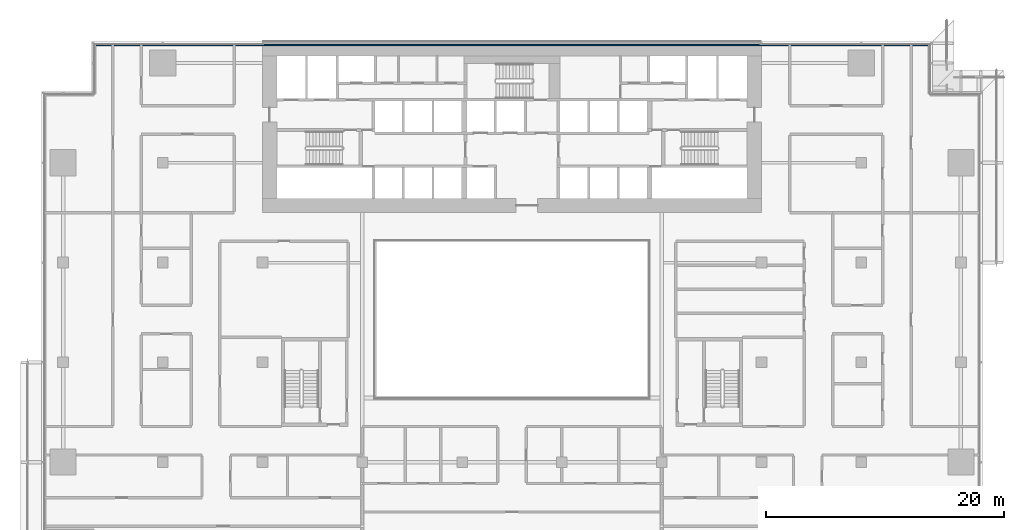
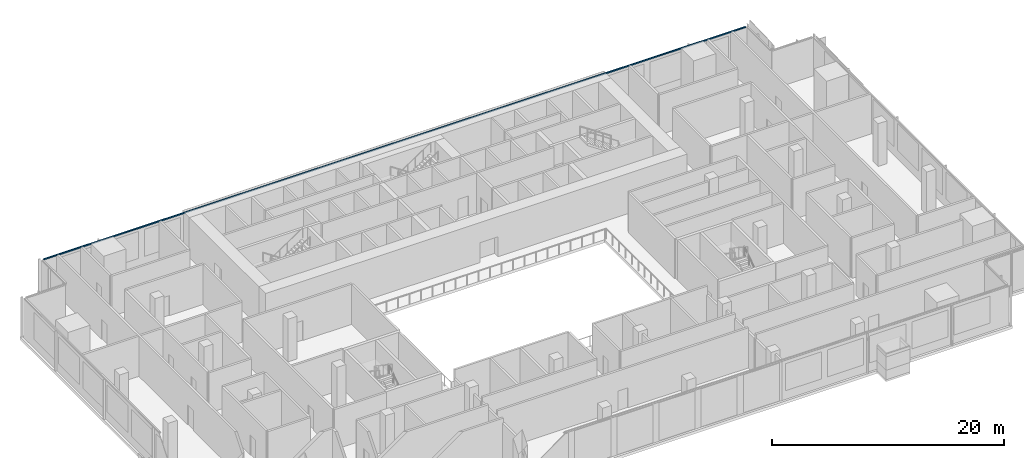
# One storey, part 7 of 23: 1 member, 1 element without a shape of its own.
"""IFC4 building model written with IfcOpenShell, lengths in metres."""

from ifc_helpers import new_model, si_unit, direction, frame, origin, origin_2d, place, context, subcontext, project, spatial, rectangle, extrude, material, material_profile, profile_set, type_object, element, aggregate, save


model = new_model("IFC4")

# Units and contexts
model_context = context("Model", 3, precision=1e-05, world=origin(), true_north=direction((0.0, 1.0)))
body_context = subcontext(model_context, "Body", "Model", "MODEL_VIEW")
ifc_project = project(units=[si_unit("LENGTHUNIT", "METRE"), si_unit("AREAUNIT", "SQUARE_METRE"), si_unit("VOLUMEUNIT", "CUBIC_METRE"), si_unit("PLANEANGLEUNIT", "RADIAN"), si_unit("MASSUNIT", "GRAM", prefix="KILO")], contexts=[model_context])

# Site, building, storey
site_placement = place(None, origin())
site = spatial("IfcSite", under=ifc_project, at=site_placement, CompositionType="ELEMENT")
building_placement = place(site_placement, origin())
building = spatial("IfcBuilding", under=site, at=building_placement, Name="Saffron Gate Tower", CompositionType="ELEMENT")
storey_placement = place(building_placement, frame((0.0, 0.0, 32.699951171875)))
storey = spatial("IfcBuildingStorey", under=building, at=storey_placement, Name="L06", CompositionType="ELEMENT", Elevation=32.699951171875)

# Curtain wall, member
ifc_material = material(Name="Aluminium, bronze anodised", Category="aluminium")
curtain_wall_type = type_object("IfcCurtainWallType", Name="CWS6 curtain wall tall storeys", PredefinedType="NOTDEFINED", material=ifc_material)
curtain_wall_placement = place(storey_placement, origin())
curtain_wall = element("IfcCurtainWall", 1, at=curtain_wall_placement, inside=storey, type_object=curtain_wall_type, Name="CWS6 run 7", PredefinedType="NOTDEFINED")
ifc_material_profile = material_profile(ifc_material, rectangle(XDim=0.1201171875, YDim=0.1201171875, at=origin_2d()))
ifc_profile_set = profile_set([ifc_material_profile], Name="Aluminium, bronze anodised")
member_type = type_object("IfcMemberType", Name="CWS6 head transom", PredefinedType="USERDEFINED", material=ifc_profile_set)
member_placement = place(storey_placement, frame((122.592041015625, 75.31201171875, 4.16015625), z_axis=(-1.0, 0.0, 0.0), x_axis=(0.0, -1.0, 0.0)))
member = element("IfcMember", 2, at=member_placement, type_object=member_type, Name="CWS6 head transom", ObjectType="TRANSOM", PredefinedType="USERDEFINED", context=body_context, shape_type="SweptSolid", body=[
    extrude(rectangle(XDim=0.1201171875, YDim=0.1201171875, at=origin_2d()), origin(), (0.0, 0.0, 1.0), 69.984130859375),
])
aggregate(curtain_wall, [member])

save(model, "model.ifc")
